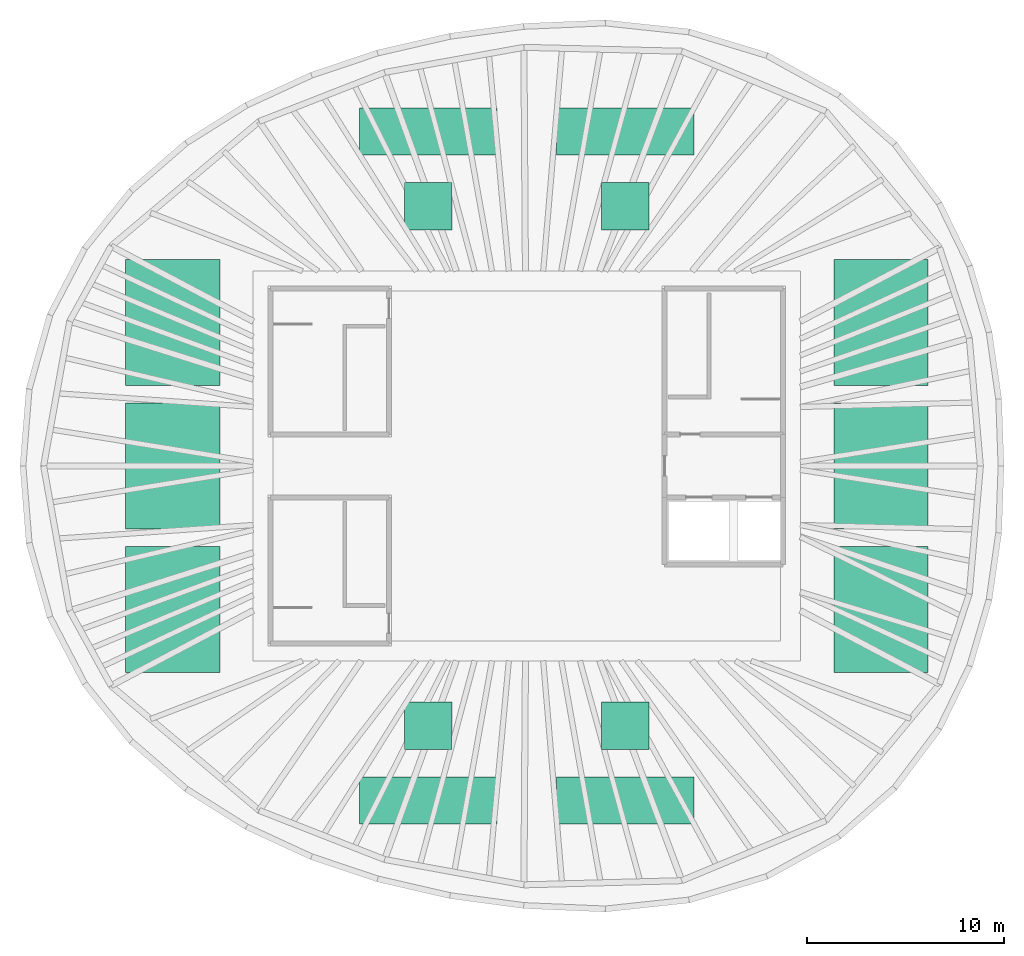
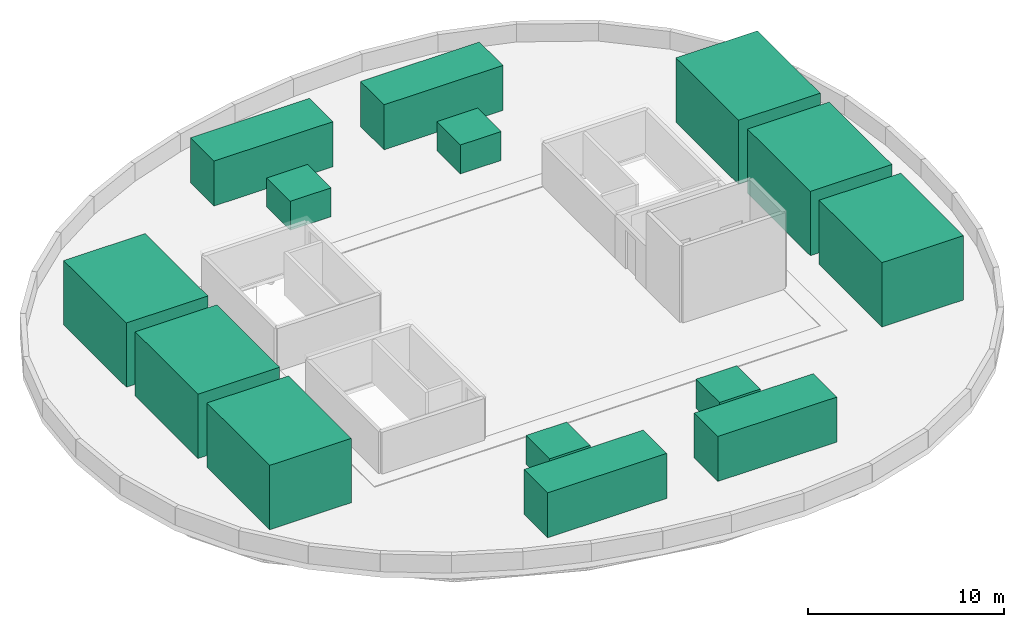
# One storey, part 6 of 6: 6 cooling towers, 4 fans, 4 unitary equipment elements.
"""IFC4 building model written with IfcOpenShell, lengths in metres."""

from ifc_helpers import new_model, si_unit, direction, frame, origin, origin_2d, place, context, subcontext, project, spatial, rectangle, extrude, material, type_object, element, save


model = new_model("IFC4")

# Units and contexts
model_context = context("Model", 3, precision=1e-05, world=origin(), true_north=direction((0.0, 1.0)))
body_context = subcontext(model_context, "Body", "Model", "MODEL_VIEW")
ifc_project = project(units=[si_unit("LENGTHUNIT", "METRE"), si_unit("AREAUNIT", "SQUARE_METRE"), si_unit("VOLUMEUNIT", "CUBIC_METRE"), si_unit("PLANEANGLEUNIT", "RADIAN"), si_unit("MASSUNIT", "GRAM", prefix="KILO")], contexts=[model_context])

# Site, building, storey
site_placement = place(None, origin())
site = spatial("IfcSite", under=ifc_project, at=site_placement, CompositionType="ELEMENT")
building_placement = place(site_placement, origin())
building = spatial("IfcBuilding", under=site, at=building_placement, Name="Ghaith Harvest Tower", CompositionType="ELEMENT")
storey_placement = place(building_placement, frame((0.0, 0.0, 349.199951171875)))
storey = spatial("IfcBuildingStorey", under=building, at=storey_placement, Name="RF", CompositionType="ELEMENT", Elevation=349.199951171875)

# Unitary equipment
ifc_material_1 = material(Name="Galvanised steel casing", Category="steel")
unitary_equipment_type = type_object("IfcUnitaryEquipmentType", Name="AIR HANDLING UNIT 7000x2400", PredefinedType="AIRHANDLER", material=ifc_material_1)
for number, where, z_axis, x_axis, name in (
    (1, (5.0, 17.0, 0.0), (0.0, 0.0, 1.0), (1.0, 0.0, 0.0), "Air handling unit AH1"),
    (2, (-5.0, 17.0, 0.0), (0.0, 0.0, 1.0), (1.0, 0.0, 0.0), "Air handling unit AH2"),
    (3, (5.0, -17.0, 0.0), (0.0, 0.0, 1.0), (1.0, 0.0, 0.0), "Air handling unit AH3"),
    (4, (-5.0, -17.0, 0.0), (0.0, 0.0, 1.0), (1.0, 0.0, 0.0), "Air handling unit AH4"),
):
    element("IfcUnitaryEquipment", number, at=place(storey_placement, frame(where, z_axis=z_axis, x_axis=x_axis)), inside=storey, type_object=unitary_equipment_type, Name=name, PredefinedType="AIRHANDLER", context=body_context, shape_type="SweptSolid", body=[
        extrude(rectangle(XDim=7.0, YDim=2.39990234375, at=origin_2d()), origin(), (0.0, 0.0, 1.0), 2.800048828125),
    ])

# Cooling towers
ifc_material_2 = material(Name="Galvanised steel casing", Category="steel")
cooling_tower_type = type_object("IfcCoolingTowerType", Name="COOLING TOWER CELL 4800x6400", PredefinedType="MECHANICALINDUCEDDRAFT", material=ifc_material_2)
for number, where, z_axis, x_axis, name in (
    (5, (18.0, -7.300048828125, 0.0), (0.0, 0.0, 1.0), (1.0, 0.0, 0.0), "Cooling tower CT1"),
    (6, (18.0, 0.0, 0.0), (0.0, 0.0, 1.0), (1.0, 0.0, 0.0), "Cooling tower CT2"),
    (7, (18.0, 7.300048828125, 0.0), (0.0, 0.0, 1.0), (1.0, 0.0, 0.0), "Cooling tower CT3"),
    (8, (-18.0, -7.300048828125, 0.0), (0.0, 0.0, 1.0), (1.0, 0.0, 0.0), "Cooling tower CT4"),
    (9, (-18.0, 0.0, 0.0), (0.0, 0.0, 1.0), (1.0, 0.0, 0.0), "Cooling tower CT5"),
    (10, (-18.0, 7.300048828125, 0.0), (0.0, 0.0, 1.0), (1.0, 0.0, 0.0), "Cooling tower CT6"),
):
    element("IfcCoolingTower", number, at=place(storey_placement, frame(where, z_axis=z_axis, x_axis=x_axis)), inside=storey, type_object=cooling_tower_type, Name=name, PredefinedType="MECHANICALINDUCEDDRAFT", context=body_context, shape_type="SweptSolid", body=[
        extrude(rectangle(XDim=4.800048828125, YDim=6.39990234375, at=origin_2d()), origin(), (0.0, 0.0, 1.0), 4.0),
    ])

# Fans
ifc_material_3 = material(Name="Galvanised steel casing", Category="steel")
fan_type = type_object("IfcFanType", Name="EXHAUST FAN 2400x2400", PredefinedType="CENTRIFUGALAIRFOIL", material=ifc_material_3)
for number, where, z_axis, x_axis, name in (
    (11, (5.0, 13.199951171875, 0.0), (0.0, 0.0, 1.0), (1.0, 0.0, 0.0), "Roof exhaust fan EF1"),
    (12, (-5.0, 13.199951171875, 0.0), (0.0, 0.0, 1.0), (1.0, 0.0, 0.0), "Roof exhaust fan EF2"),
    (13, (5.0, -13.199951171875, 0.0), (0.0, 0.0, 1.0), (1.0, 0.0, 0.0), "Roof exhaust fan EF3"),
    (14, (-5.0, -13.199951171875, 0.0), (0.0, 0.0, 1.0), (1.0, 0.0, 0.0), "Roof exhaust fan EF4"),
):
    element("IfcFan", number, at=place(storey_placement, frame(where, z_axis=z_axis, x_axis=x_axis)), inside=storey, type_object=fan_type, Name=name, PredefinedType="CENTRIFUGALAIRFOIL", context=body_context, shape_type="SweptSolid", body=[
        extrude(rectangle(XDim=2.39990234375, YDim=2.39990234375, at=origin_2d()), origin(), (0.0, 0.0, 1.0), 1.800048828125),
    ])

save(model, "model.ifc")
